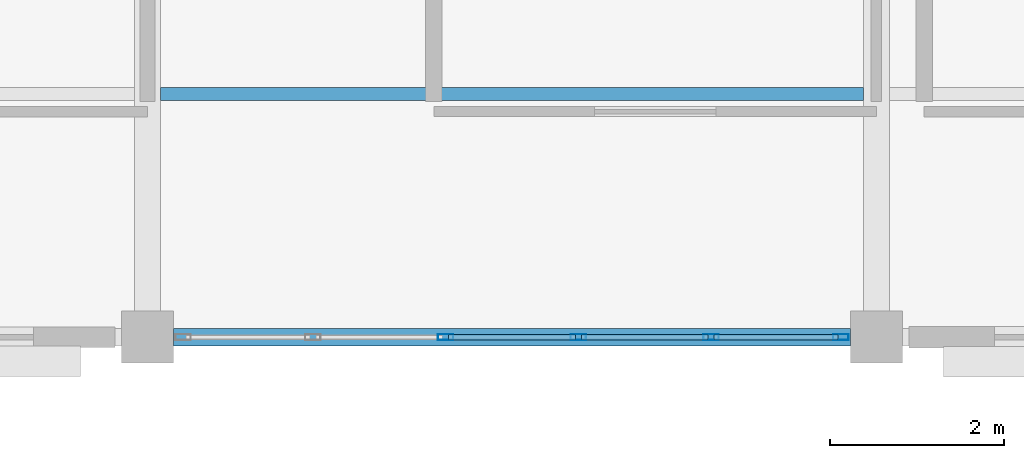
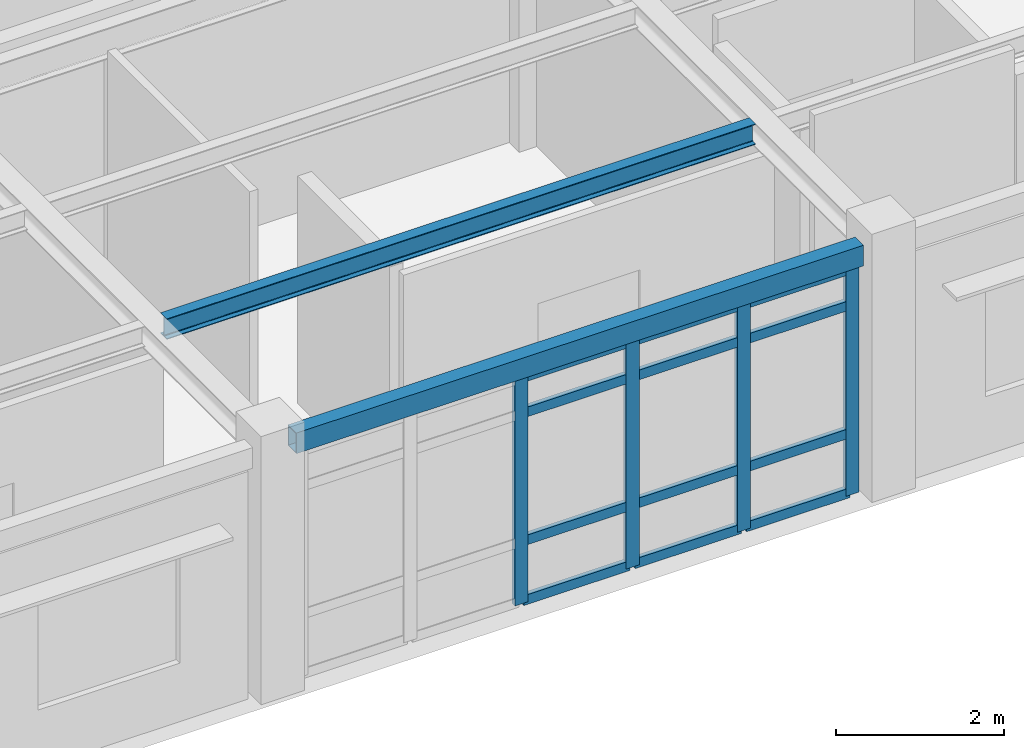
# One storey, part 38 of 86: 16 members, 2 beams, 1 element without a shape of its own.
"""IFC4 building model written with IfcOpenShell, lengths in metres."""

from ifc_helpers import new_model, si_unit, direction, frame, origin, origin_2d, place, context, subcontext, project, spatial, hollow_rectangle, i_section, extrude, material, layer, layer_set, material_profile, profile_set, type_object, element, aggregate, save


model = new_model("IFC4")

# Units and contexts
model_context = context("Model", 3, precision=1e-05, world=origin(), true_north=direction((0.0, 1.0)))
body_context = subcontext(model_context, "Body", "Model", "MODEL_VIEW")
ifc_project = project(units=[si_unit("LENGTHUNIT", "METRE"), si_unit("AREAUNIT", "SQUARE_METRE"), si_unit("VOLUMEUNIT", "CUBIC_METRE"), si_unit("PLANEANGLEUNIT", "RADIAN"), si_unit("MASSUNIT", "GRAM", prefix="KILO")], contexts=[model_context])

# Site, building, storey
site_placement = place(None, origin())
site = spatial("IfcSite", under=ifc_project, at=site_placement, CompositionType="ELEMENT")
building_placement = place(site_placement, origin())
building = spatial("IfcBuilding", under=site, at=building_placement, Name="Bramfleet General Hospital", CompositionType="ELEMENT")
storey_placement = place(building_placement, frame((0.0, 0.0, 18.60009765625)))
storey = spatial("IfcBuildingStorey", under=building, at=storey_placement, Name="L04", CompositionType="ELEMENT", Elevation=18.60009765625)

# Beams
ifc_material_1 = material(Name="Steel S355", Category="steel")
ifc_material_profile_1 = material_profile(ifc_material_1, i_section(OverallWidth=0.14990234375, OverallDepth=0.300048828125, WebThickness=0.007080078125, FlangeThickness=0.0107421875, FilletRadius=0.014892578125, at=origin_2d()), Name="IPE 300")
ifc_profile_set_1 = profile_set([ifc_material_profile_1], Name="Steel S355")
beam_type_1 = type_object("IfcBeamType", Name="BM-IPE300", PredefinedType="JOIST", material=ifc_profile_set_1)
beam_1_placement = place(storey_placement, frame((134.550048828125, 95.199951171875, 3.469970703125), z_axis=(1.0, 0.0, 0.0), x_axis=(0.0, 1.0, 0.0)))
element("IfcBeam", 1, at=beam_1_placement, inside=storey, type_object=beam_type_1, Name="L04 Secondary Joist 16-11-1", PredefinedType="JOIST", context=body_context, shape_type="SweptSolid", body=[
    extrude(i_section(OverallWidth=0.14990234375, OverallDepth=0.300048828125, WebThickness=0.007080078125, FlangeThickness=0.0107421875, FilletRadius=0.014892578125, at=origin_2d()), origin(), (0.0, 0.0, 1.0), 8.099853515625),
])
ifc_material_profile_2 = material_profile(ifc_material_1, hollow_rectangle(XDim=0.199951171875, YDim=0.300048828125, WallThickness=0.012451171875, at=origin_2d()), Name="RHS 300x200x12.5")
ifc_profile_set_2 = profile_set([ifc_material_profile_2], Name="Steel S355")
beam_type_2 = type_object("IfcBeamType", Name="BM-RHS300", PredefinedType="SPANDREL", material=ifc_profile_set_2)
beam_2_placement = place(storey_placement, frame((134.699951171875, 92.39990234375, 3.469970703125), z_axis=(1.0, 0.0, 0.0), x_axis=(0.0, 1.0, 0.0)))
element("IfcBeam", 2, at=beam_2_placement, inside=storey, type_object=beam_type_2, Name="L04 Grid Beam X 16-11", PredefinedType="SPANDREL", context=body_context, shape_type="SweptSolid", body=[
    extrude(hollow_rectangle(XDim=0.199951171875, YDim=0.300048828125, WallThickness=0.012451171875, at=origin_2d()), origin(), (0.0, 0.0, 1.0), 7.800048828125),
])

# Curtain wall, members
ifc_material_2 = material(Name="Anodised aluminium and low-E triple glazing", Category="aluminium")
ifc_layer = layer(ifc_material_2, 0.179931640625, Name="CWT-CW-11")
ifc_layer_set = layer_set([ifc_layer], Name="Anodised aluminium and low-E triple glazing")
curtain_wall_type = type_object("IfcCurtainWallType", Name="CWT-CW-11", PredefinedType="USERDEFINED", material=ifc_layer_set)
curtain_wall_placement = place(storey_placement, origin())
curtain_wall = element("IfcCurtainWall", 3, at=curtain_wall_placement, inside=storey, type_object=curtain_wall_type, Name="L04 Curtain Wall 191", ObjectType="Stick curtain wall", PredefinedType="USERDEFINED")
ifc_material_3 = material(Name="Anodised aluminium EN AW-6060", Category="aluminium")
ifc_material_profile_3 = material_profile(ifc_material_3, hollow_rectangle(XDim=0.070068359375, YDim=0.179931640625, WallThickness=0.00390625, at=origin_2d()), Name="ALU 180x70x4.0")
ifc_profile_set_3 = profile_set([ifc_material_profile_3], Name="Anodised aluminium EN AW-6060")
member_type_1 = type_object("IfcMemberType", Name="CWM-ALU180", PredefinedType="MULLION", material=ifc_profile_set_3)
member_1_placement = place(storey_placement, frame((142.389892578125, 92.39990234375, 0.0), z_axis=(0.0, 0.0, 1.0), x_axis=(0.0, -1.0, 0.0)))
member_1 = element("IfcMember", 4, at=member_1_placement, type_object=member_type_1, Name="CW-11 mullion 1", PredefinedType="MULLION", context=body_context, shape_type="SweptSolid", body=[
    extrude(hollow_rectangle(XDim=0.070068359375, YDim=0.179931640625, WallThickness=0.00390625, at=origin_2d()), origin(), (0.0, 0.0, 1.0), 3.309814453125),
])
member_2_placement = place(storey_placement, frame((140.89501953125, 92.39990234375, 0.0), z_axis=(0.0, 0.0, 1.0), x_axis=(0.0, -1.0, 0.0)))
member_2 = element("IfcMember", 5, at=member_2_placement, type_object=member_type_1, Name="CW-11 mullion 2", PredefinedType="MULLION", context=body_context, shape_type="SweptSolid", body=[
    extrude(hollow_rectangle(XDim=0.070068359375, YDim=0.179931640625, WallThickness=0.00390625, at=origin_2d()), origin(), (0.0, 0.0, 1.0), 3.309814453125),
])
member_3_placement = place(storey_placement, frame((139.364990234375, 92.39990234375, 0.0), z_axis=(0.0, 0.0, 1.0), x_axis=(0.0, -1.0, 0.0)))
member_3 = element("IfcMember", 6, at=member_3_placement, type_object=member_type_1, Name="CW-11 mullion 3", PredefinedType="MULLION", context=body_context, shape_type="SweptSolid", body=[
    extrude(hollow_rectangle(XDim=0.070068359375, YDim=0.179931640625, WallThickness=0.00390625, at=origin_2d()), origin(), (0.0, 0.0, 1.0), 3.309814453125),
])
member_4_placement = place(storey_placement, frame((137.8349609375, 92.39990234375, 0.0), z_axis=(0.0, 0.0, 1.0), x_axis=(0.0, -1.0, 0.0)))
member_4 = element("IfcMember", 7, at=member_4_placement, type_object=member_type_1, Name="CW-11 mullion 4", PredefinedType="MULLION", context=body_context, shape_type="SweptSolid", body=[
    extrude(hollow_rectangle(XDim=0.070068359375, YDim=0.179931640625, WallThickness=0.00390625, at=origin_2d()), origin(), (0.0, 0.0, 1.0), 3.309814453125),
])
ifc_material_profile_4 = material_profile(ifc_material_3, hollow_rectangle(XDim=0.06494140625, YDim=0.139892578125, WallThickness=0.00390625, at=origin_2d()), Name="ALU 140x65x4.0")
ifc_profile_set_4 = profile_set([ifc_material_profile_4], Name="Anodised aluminium EN AW-6060")
member_type_2 = type_object("IfcMemberType", Name="CWT-ALU140", PredefinedType="USERDEFINED", material=ifc_profile_set_4)
member_5_placement = place(storey_placement, frame((142.35498046875, 92.39990234375, 0.032470703125), z_axis=(-1.0, 0.0, 0.0), x_axis=(0.0, -1.0, 0.0)))
member_5 = element("IfcMember", 8, at=member_5_placement, type_object=member_type_2, Name="CW-11 transom 1.1", ObjectType="TRANSOM", PredefinedType="USERDEFINED", context=body_context, shape_type="SweptSolid", body=[
    extrude(hollow_rectangle(XDim=0.06494140625, YDim=0.139892578125, WallThickness=0.00390625, at=origin_2d()), origin(), (0.0, 0.0, 1.0), 1.425048828125),
])
member_6_placement = place(storey_placement, frame((142.35498046875, 92.39990234375, 0.89990234375), z_axis=(-1.0, 0.0, 0.0), x_axis=(0.0, -1.0, 0.0)))
member_6 = element("IfcMember", 9, at=member_6_placement, type_object=member_type_2, Name="CW-11 transom 1.2", ObjectType="TRANSOM", PredefinedType="USERDEFINED", context=body_context, shape_type="SweptSolid", body=[
    extrude(hollow_rectangle(XDim=0.06494140625, YDim=0.139892578125, WallThickness=0.00390625, at=origin_2d()), origin(), (0.0, 0.0, 1.0), 1.425048828125),
])
member_7_placement = place(storey_placement, frame((142.35498046875, 92.39990234375, 2.760009765625), z_axis=(-1.0, 0.0, 0.0), x_axis=(0.0, -1.0, 0.0)))
member_7 = element("IfcMember", 10, at=member_7_placement, type_object=member_type_2, Name="CW-11 transom 1.3", ObjectType="TRANSOM", PredefinedType="USERDEFINED", context=body_context, shape_type="SweptSolid", body=[
    extrude(hollow_rectangle(XDim=0.06494140625, YDim=0.139892578125, WallThickness=0.00390625, at=origin_2d()), origin(), (0.0, 0.0, 1.0), 1.425048828125),
])
member_8_placement = place(storey_placement, frame((142.35498046875, 92.39990234375, 3.27734375), z_axis=(-1.0, 0.0, 0.0), x_axis=(0.0, -1.0, 0.0)))
member_8 = element("IfcMember", 11, at=member_8_placement, type_object=member_type_2, Name="CW-11 transom 1.4", ObjectType="TRANSOM", PredefinedType="USERDEFINED", context=body_context, shape_type="SweptSolid", body=[
    extrude(hollow_rectangle(XDim=0.06494140625, YDim=0.139892578125, WallThickness=0.00390625, at=origin_2d()), origin(), (0.0, 0.0, 1.0), 1.425048828125),
])
member_9_placement = place(storey_placement, frame((140.860107421875, 92.39990234375, 0.032470703125), z_axis=(-1.0, 0.0, 0.0), x_axis=(0.0, -1.0, 0.0)))
member_9 = element("IfcMember", 12, at=member_9_placement, type_object=member_type_2, Name="CW-11 transom 2.1", ObjectType="TRANSOM", PredefinedType="USERDEFINED", context=body_context, shape_type="SweptSolid", body=[
    extrude(hollow_rectangle(XDim=0.06494140625, YDim=0.139892578125, WallThickness=0.00390625, at=origin_2d()), origin(), (0.0, 0.0, 1.0), 1.460205078125),
])
member_10_placement = place(storey_placement, frame((140.860107421875, 92.39990234375, 0.89990234375), z_axis=(-1.0, 0.0, 0.0), x_axis=(0.0, -1.0, 0.0)))
member_10 = element("IfcMember", 13, at=member_10_placement, type_object=member_type_2, Name="CW-11 transom 2.2", ObjectType="TRANSOM", PredefinedType="USERDEFINED", context=body_context, shape_type="SweptSolid", body=[
    extrude(hollow_rectangle(XDim=0.06494140625, YDim=0.139892578125, WallThickness=0.00390625, at=origin_2d()), origin(), (0.0, 0.0, 1.0), 1.460205078125),
])
member_11_placement = place(storey_placement, frame((140.860107421875, 92.39990234375, 2.760009765625), z_axis=(-1.0, 0.0, 0.0), x_axis=(0.0, -1.0, 0.0)))
member_11 = element("IfcMember", 14, at=member_11_placement, type_object=member_type_2, Name="CW-11 transom 2.3", ObjectType="TRANSOM", PredefinedType="USERDEFINED", context=body_context, shape_type="SweptSolid", body=[
    extrude(hollow_rectangle(XDim=0.06494140625, YDim=0.139892578125, WallThickness=0.00390625, at=origin_2d()), origin(), (0.0, 0.0, 1.0), 1.460205078125),
])
member_12_placement = place(storey_placement, frame((140.860107421875, 92.39990234375, 3.27734375), z_axis=(-1.0, 0.0, 0.0), x_axis=(0.0, -1.0, 0.0)))
member_12 = element("IfcMember", 15, at=member_12_placement, type_object=member_type_2, Name="CW-11 transom 2.4", ObjectType="TRANSOM", PredefinedType="USERDEFINED", context=body_context, shape_type="SweptSolid", body=[
    extrude(hollow_rectangle(XDim=0.06494140625, YDim=0.139892578125, WallThickness=0.00390625, at=origin_2d()), origin(), (0.0, 0.0, 1.0), 1.460205078125),
])
member_13_placement = place(storey_placement, frame((139.330078125, 92.39990234375, 0.032470703125), z_axis=(-1.0, 0.0, 0.0), x_axis=(0.0, -1.0, 0.0)))
member_13 = element("IfcMember", 16, at=member_13_placement, type_object=member_type_2, Name="CW-11 transom 3.1", ObjectType="TRANSOM", PredefinedType="USERDEFINED", context=body_context, shape_type="SweptSolid", body=[
    extrude(hollow_rectangle(XDim=0.06494140625, YDim=0.139892578125, WallThickness=0.00390625, at=origin_2d()), origin(), (0.0, 0.0, 1.0), 1.4599609375),
])
member_14_placement = place(storey_placement, frame((139.330078125, 92.39990234375, 0.89990234375), z_axis=(-1.0, 0.0, 0.0), x_axis=(0.0, -1.0, 0.0)))
member_14 = element("IfcMember", 17, at=member_14_placement, type_object=member_type_2, Name="CW-11 transom 3.2", ObjectType="TRANSOM", PredefinedType="USERDEFINED", context=body_context, shape_type="SweptSolid", body=[
    extrude(hollow_rectangle(XDim=0.06494140625, YDim=0.139892578125, WallThickness=0.00390625, at=origin_2d()), origin(), (0.0, 0.0, 1.0), 1.4599609375),
])
member_15_placement = place(storey_placement, frame((139.330078125, 92.39990234375, 2.760009765625), z_axis=(-1.0, 0.0, 0.0), x_axis=(0.0, -1.0, 0.0)))
member_15 = element("IfcMember", 18, at=member_15_placement, type_object=member_type_2, Name="CW-11 transom 3.3", ObjectType="TRANSOM", PredefinedType="USERDEFINED", context=body_context, shape_type="SweptSolid", body=[
    extrude(hollow_rectangle(XDim=0.06494140625, YDim=0.139892578125, WallThickness=0.00390625, at=origin_2d()), origin(), (0.0, 0.0, 1.0), 1.4599609375),
])
member_16_placement = place(storey_placement, frame((139.330078125, 92.39990234375, 3.27734375), z_axis=(-1.0, 0.0, 0.0), x_axis=(0.0, -1.0, 0.0)))
member_16 = element("IfcMember", 19, at=member_16_placement, type_object=member_type_2, Name="CW-11 transom 3.4", ObjectType="TRANSOM", PredefinedType="USERDEFINED", context=body_context, shape_type="SweptSolid", body=[
    extrude(hollow_rectangle(XDim=0.06494140625, YDim=0.139892578125, WallThickness=0.00390625, at=origin_2d()), origin(), (0.0, 0.0, 1.0), 1.4599609375),
])
aggregate(curtain_wall, [member_1, member_2, member_3, member_4, member_5, member_6, member_7, member_8, member_9, member_10, member_11, member_12, member_13, member_14, member_15, member_16])

save(model, "model.ifc")
